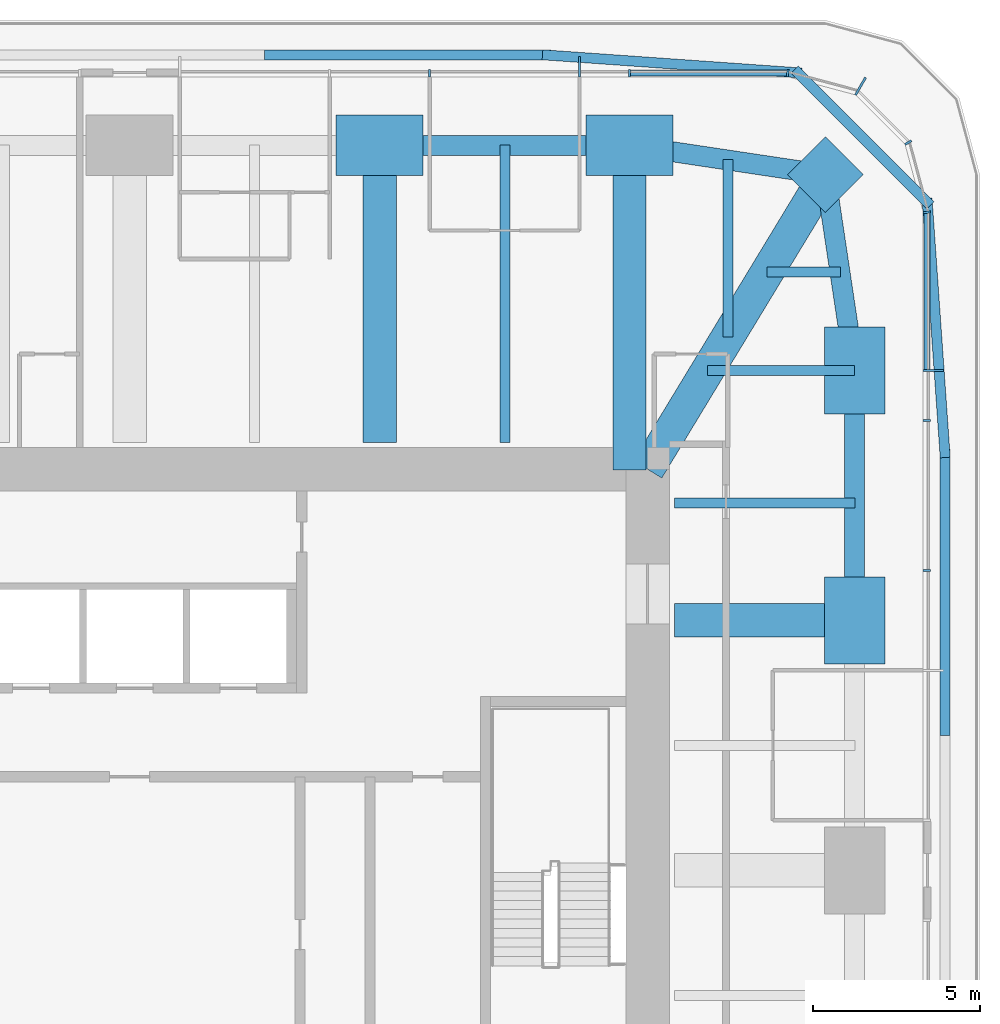
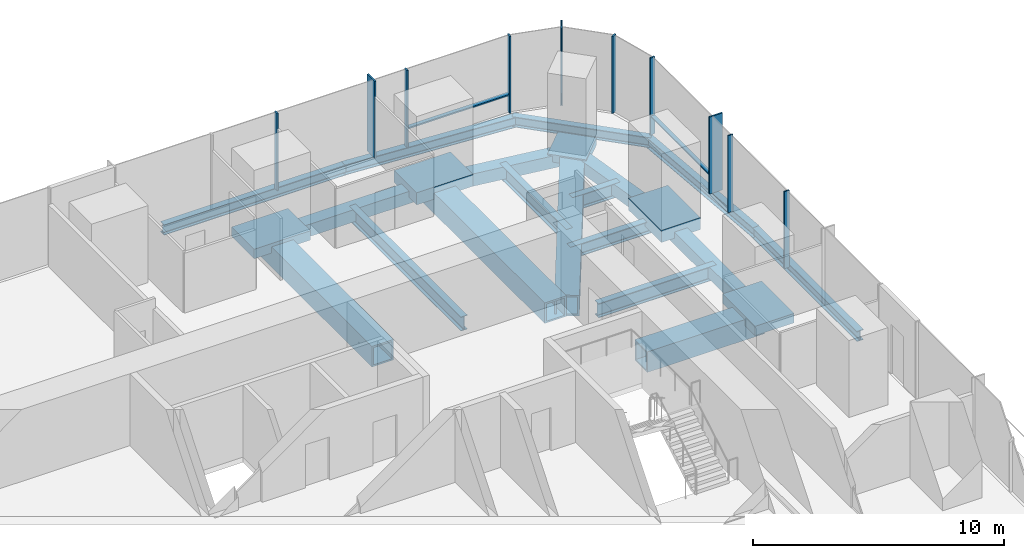
# One storey, part 6 of 15: 25 members, 10 beams, 3 elements without a shape of their own.
"""IFC4 building model written with IfcOpenShell, lengths in metres."""

from ifc_helpers import new_model, si_unit, direction, frame, origin, origin_2d, place, context, subcontext, project, spatial, rectangle, hollow_rectangle, i_section, extrude, material, material_profile, profile_set, type_object, element, aggregate, save


model = new_model("IFC4")

# Units and contexts
model_context = context("Model", 3, precision=1e-05, world=origin(), true_north=direction((0.0, 1.0)))
body_context = subcontext(model_context, "Body", "Model", "MODEL_VIEW")
ifc_project = project(units=[si_unit("LENGTHUNIT", "METRE"), si_unit("AREAUNIT", "SQUARE_METRE"), si_unit("VOLUMEUNIT", "CUBIC_METRE"), si_unit("PLANEANGLEUNIT", "RADIAN"), si_unit("MASSUNIT", "GRAM", prefix="KILO")], contexts=[model_context])

# Site, building, storey
site_placement = place(None, origin())
site = spatial("IfcSite", under=ifc_project, at=site_placement, CompositionType="ELEMENT")
building_placement = place(site_placement, origin())
building = spatial("IfcBuilding", under=site, at=building_placement, Name="Khuree Lantern Residences", CompositionType="ELEMENT")
storey_placement = place(building_placement, frame((0.0, 0.0, 285.75)))
storey = spatial("IfcBuildingStorey", under=building, at=storey_placement, Name="L71", CompositionType="ELEMENT", Elevation=285.75)

# Beams
ifc_material_1 = material(Name="Steel S355", Category="steel")
ifc_material_profile_1 = material_profile(ifc_material_1, i_section(OverallWidth=0.300048828125, OverallDepth=0.68994140625, WebThickness=0.014404296875, FlangeThickness=0.027099609375, FilletRadius=0.027099609375, at=origin_2d()), Name="HE 700 A")
ifc_profile_set_1 = profile_set([ifc_material_profile_1], Name="Steel S355")
beam_type_1 = type_object("IfcBeamType", Name="B-41 SECONDARY BEAM HE 700 A", PredefinedType="BEAM", material=ifc_profile_set_1)
beam_1_placement = place(storey_placement, frame((11.2275390625, 21.716064453125, -0.594970703125), z_axis=(0.0, -1.0, 0.0), x_axis=(1.0, 0.0, 0.0)))
element("IfcBeam", 1, at=beam_1_placement, inside=storey, type_object=beam_type_1, Name="Secondary beam N4", PredefinedType="BEAM", context=body_context, shape_type="SweptSolid", body=[
    extrude(i_section(OverallWidth=0.300048828125, OverallDepth=0.68994140625, WebThickness=0.014404296875, FlangeThickness=0.027099609375, FilletRadius=0.027099609375, at=origin_2d()), origin(), (0.0, 0.0, 1.0), 8.916015625),
])
beam_2_placement = place(storey_placement, frame((17.903076171875, 21.276123046875, -0.594970703125), z_axis=(0.0, -1.0, 0.0), x_axis=(1.0, 0.0, 0.0)))
element("IfcBeam", 2, at=beam_2_placement, inside=storey, type_object=beam_type_1, Name="Secondary beam N5", PredefinedType="BEAM", context=body_context, shape_type="SweptSolid", body=[
    extrude(i_section(OverallWidth=0.300048828125, OverallDepth=0.68994140625, WebThickness=0.014404296875, FlangeThickness=0.027099609375, FilletRadius=0.027099609375, at=origin_2d()), origin(), (0.0, 0.0, 1.0), 5.31201171875),
])
beam_3_placement = place(storey_placement, frame((21.276123046875, 17.903076171875, -0.594970703125), z_axis=(-1.0, 0.0, 0.0), x_axis=(0.0, -1.0, 0.0)))
element("IfcBeam", 3, at=beam_3_placement, inside=storey, type_object=beam_type_1, Name="Secondary beam E1", PredefinedType="BEAM", context=body_context, shape_type="SweptSolid", body=[
    extrude(i_section(OverallWidth=0.300048828125, OverallDepth=0.68994140625, WebThickness=0.014404296875, FlangeThickness=0.027099609375, FilletRadius=0.027099609375, at=origin_2d()), origin(), (0.0, 0.0, 1.0), 2.19775390625),
])
beam_4_placement = place(storey_placement, frame((21.716064453125, 11.0, -0.594970703125), z_axis=(-1.0, 0.0, 0.0), x_axis=(0.0, -1.0, 0.0)))
element("IfcBeam", 4, at=beam_4_placement, inside=storey, type_object=beam_type_1, Name="Secondary beam E2", PredefinedType="BEAM", context=body_context, shape_type="SweptSolid", body=[
    extrude(i_section(OverallWidth=0.300048828125, OverallDepth=0.68994140625, WebThickness=0.014404296875, FlangeThickness=0.027099609375, FilletRadius=0.027099609375, at=origin_2d()), origin(), (0.0, 0.0, 1.0), 5.416015625),
])

# Members
ifc_material_profile_2 = material_profile(ifc_material_1, hollow_rectangle(XDim=0.60009765625, YDim=0.60009765625, WallThickness=0.050048828125, at=origin_2d()), Name="WELDED BOX 600X600X50")
ifc_profile_set_2 = profile_set([ifc_material_profile_2], Name="Steel S355")
member_type_1 = type_object("IfcMemberType", Name="BT-71 BELT TRUSS CHORD WELDED BOX 600X600X50", PredefinedType="CHORD", material=ifc_profile_set_2)
member_1_placement = place(storey_placement, frame((7.47998046875, 21.699951171875, -0.550048828125), z_axis=(1.0, 0.0, 0.0), x_axis=(0.0, 1.0, 0.0)))
element("IfcMember", 5, at=member_1_placement, inside=storey, type_object=member_type_1, Name="Belt truss chord N4", PredefinedType="CHORD", context=body_context, shape_type="SweptSolid", body=[
    extrude(hollow_rectangle(XDim=0.60009765625, YDim=0.60009765625, WallThickness=0.050048828125, at=origin_2d()), origin(), (0.0, 0.0, 1.0), 7.47998046875),
])
for number, where, z_axis, x_axis, name in (
    (6, (14.9599609375, 21.699951171875, -0.550048828125), (0.988949643299, -0.148251822985, 0.0), (0.148251822985, 0.988949643299, 0.0), "Belt truss chord N5"),
    (7, (20.8212890625, 20.8212890625, -0.550048828125), (0.148251822985, -0.988949643299, 0.0), (0.988949643299, 0.148251822985, 0.0), "Belt truss chord E1"),
):
    element("IfcMember", number, at=place(storey_placement, frame(where, z_axis=z_axis, x_axis=x_axis)), inside=storey, type_object=member_type_1, Name=name, PredefinedType="CHORD", context=body_context, shape_type="SweptSolid", body=[
        extrude(hollow_rectangle(XDim=0.60009765625, YDim=0.60009765625, WallThickness=0.050048828125, at=origin_2d()), origin(), (0.0, 0.0, 1.0), 5.9267578125),
    ])
member_2_placement = place(storey_placement, frame((21.699951171875, 14.9599609375, -0.550048828125), z_axis=(0.0, -1.0, 0.0), x_axis=(1.0, 0.0, 0.0)))
element("IfcMember", 8, at=member_2_placement, inside=storey, type_object=member_type_1, Name="Belt truss chord E2", PredefinedType="CHORD", context=body_context, shape_type="SweptSolid", body=[
    extrude(hollow_rectangle(XDim=0.60009765625, YDim=0.60009765625, WallThickness=0.050048828125, at=origin_2d()), origin(), (0.0, 0.0, 1.0), 7.47998046875),
])

# Curtain wall, member
ifc_material_2 = material(Name="Bronze anodised aluminium", Category="aluminium")
curtain_wall_type_1 = type_object("IfcCurtainWallType", Name="CW-T1 TOWER FACE CURTAIN WALL", PredefinedType="USERDEFINED", material=ifc_material_2)
curtain_wall_1_placement = place(storey_placement, origin())
curtain_wall_1 = element("IfcCurtainWall", 9, at=curtain_wall_1_placement, inside=storey, type_object=curtain_wall_type_1, Name="L71 EAST FACE CURTAIN WALL", ObjectType="Stick-built curtain wall", PredefinedType="USERDEFINED")
ifc_material_profile_3 = material_profile(ifc_material_2, rectangle(XDim=0.06494140625, YDim=0.60009765625, at=origin_2d()), Name="F1 65X600")
ifc_profile_set_3 = profile_set([ifc_material_profile_3], Name="Bronze anodised aluminium")
member_type_2 = type_object("IfcMemberType", Name="F1 BRONZE FIN MULLION TOWER 65X600", PredefinedType="MULLION", material=ifc_profile_set_3)
member_3_placement = place(storey_placement, frame((24.050048828125, 14.9599609375, 0.0), z_axis=(0.0, 0.0, 1.0), x_axis=(0.0, 1.0, 0.0)))
member_3 = element("IfcMember", 10, at=member_3_placement, type_object=member_type_2, Name="L71 EAST FACE FIN MULLION 14", PredefinedType="MULLION", context=body_context, shape_type="SweptSolid", body=[
    extrude(rectangle(XDim=0.06494140625, YDim=0.60009765625, at=origin_2d()), origin(), (0.0, 0.0, 1.0), 3.75),
])

curtain_wall_type_2 = type_object("IfcCurtainWallType", Name="CW-T2 TOWER CORNER CURTAIN WALL", PredefinedType="USERDEFINED", material=ifc_material_2)
curtain_wall_2_placement = place(storey_placement, origin())
curtain_wall_2 = element("IfcCurtainWall", 11, at=curtain_wall_2_placement, inside=storey, type_object=curtain_wall_type_2, Name="L71 NORTH-EAST CORNER CURTAIN WALL", ObjectType="Faceted corner curtain wall", PredefinedType="USERDEFINED")
member_4_placement = place(storey_placement, frame((21.875, 23.46728515625, 0.0), z_axis=(0.0, 0.0, 1.0), x_axis=(-0.866025437565, 0.49999994149, 0.0)))
member_4 = element("IfcMember", 12, at=member_4_placement, type_object=member_type_2, Name="L71 NORTH-EAST CORNER FIN MULLION 17", PredefinedType="MULLION", context=body_context, shape_type="SweptSolid", body=[
    extrude(rectangle(XDim=0.06494140625, YDim=0.60009765625, at=origin_2d()), origin(), (0.0, 0.0, 1.0), 3.75),
])

curtain_wall_3_placement = place(storey_placement, origin())
curtain_wall_3 = element("IfcCurtainWall", 13, at=curtain_wall_3_placement, inside=storey, type_object=curtain_wall_type_1, Name="L71 NORTH FACE CURTAIN WALL", ObjectType="Stick-built curtain wall", PredefinedType="USERDEFINED")
member_5_placement = place(storey_placement, frame((13.464111328125, 24.050048828125, 0.0), z_axis=(0.0, 0.0, 1.0), x_axis=(-1.0, 0.0, 0.0)))
member_5 = element("IfcMember", 14, at=member_5_placement, type_object=member_type_2, Name="L71 NORTH FACE FIN MULLION 20", PredefinedType="MULLION", context=body_context, shape_type="SweptSolid", body=[
    extrude(rectangle(XDim=0.06494140625, YDim=0.60009765625, at=origin_2d()), origin(), (0.0, 0.0, 1.0), 3.75),
])

# Beam
ifc_material_profile_4 = material_profile(ifc_material_1, i_section(OverallWidth=0.300048828125, OverallDepth=0.60009765625, WebThickness=0.015380859375, FlangeThickness=0.030029296875, FilletRadius=0.027099609375, at=origin_2d()), Name="HE 600 B")
ifc_profile_set_4 = profile_set([ifc_material_profile_4], Name="Steel S355")
beam_type_2 = type_object("IfcBeamType", Name="G-41 GIRDER HE 600 B", PredefinedType="BEAM", material=ifc_profile_set_4)
beam_5_placement = place(storey_placement, frame((21.699951171875, 14.9599609375, -0.550048828125), z_axis=(-1.0, 0.0, 0.0), x_axis=(0.0, -1.0, 0.0)))
element("IfcBeam", 15, at=beam_5_placement, inside=storey, type_object=beam_type_2, Name="Girder E1", PredefinedType="BEAM", context=body_context, shape_type="SweptSolid", body=[
    extrude(i_section(OverallWidth=0.300048828125, OverallDepth=0.60009765625, WebThickness=0.015380859375, FlangeThickness=0.030029296875, FilletRadius=0.027099609375, at=origin_2d()), origin(), (0.0, 0.0, 1.0), 4.405517578125),
])

# Member
ifc_material_profile_5 = material_profile(ifc_material_2, rectangle(XDim=0.06494140625, YDim=0.219970703125, at=origin_2d()), Name="M1 65X220")
ifc_profile_set_5 = profile_set([ifc_material_profile_5], Name="Bronze anodised aluminium")
member_type_3 = type_object("IfcMemberType", Name="M1 BRONZE MULLION TOWER 65X220", PredefinedType="MULLION", material=ifc_profile_set_5)
member_6_placement = place(storey_placement, frame((23.860107421875, 8.97607421875, 0.0), z_axis=(0.0, 0.0, 1.0), x_axis=(0.0, 1.0, 0.0)))
member_6 = element("IfcMember", 16, at=member_6_placement, type_object=member_type_3, Name="L71 EAST FACE MULLION 12", PredefinedType="MULLION", context=body_context, shape_type="SweptSolid", body=[
    extrude(rectangle(XDim=0.06494140625, YDim=0.219970703125, at=origin_2d()), origin(), (0.0, 0.0, 1.0), 3.75),
])

member_7_placement = place(storey_placement, frame((23.860107421875, 13.464111328125, 0.0), z_axis=(0.0, 0.0, 1.0), x_axis=(0.0, 1.0, 0.0)))
member_7 = element("IfcMember", 17, at=member_7_placement, type_object=member_type_3, Name="L71 EAST FACE MULLION 13", PredefinedType="MULLION", context=body_context, shape_type="SweptSolid", body=[
    extrude(rectangle(XDim=0.06494140625, YDim=0.219970703125, at=origin_2d()), origin(), (0.0, 0.0, 1.0), 3.75),
])

member_8_placement = place(storey_placement, frame((23.86181640625, 19.695068359375, 0.0), z_axis=(0.0, 0.0, 1.0), x_axis=(-0.130526125236, 0.991444870192, 0.0)))
member_8 = element("IfcMember", 18, at=member_8_placement, type_object=member_type_3, Name="L71 NORTH-EAST CORNER MULLION 15", PredefinedType="MULLION", context=body_context, shape_type="SweptSolid", body=[
    extrude(rectangle(XDim=0.06494140625, YDim=0.219970703125, at=origin_2d()), origin(), (0.0, 0.0, 1.0), 3.75),
])

member_9_placement = place(storey_placement, frame((23.302734375, 21.780029296875, 0.0), z_axis=(0.0, 0.0, 1.0), x_axis=(-0.49999994149, 0.866025437565, 0.0)))
member_9 = element("IfcMember", 19, at=member_9_placement, type_object=member_type_3, Name="L71 NORTH-EAST CORNER MULLION 16", PredefinedType="MULLION", context=body_context, shape_type="SweptSolid", body=[
    extrude(rectangle(XDim=0.06494140625, YDim=0.219970703125, at=origin_2d()), origin(), (0.0, 0.0, 1.0), 3.75),
])

aggregate(curtain_wall_2, [member_8, member_9, member_4])

member_10_placement = place(storey_placement, frame((19.695068359375, 23.86181640625, 0.0), z_axis=(0.0, 0.0, 1.0), x_axis=(-0.991444870192, 0.130526125236, 0.0)))
member_10 = element("IfcMember", 20, at=member_10_placement, type_object=member_type_3, Name="L71 NORTH FACE MULLION 18", PredefinedType="MULLION", context=body_context, shape_type="SweptSolid", body=[
    extrude(rectangle(XDim=0.06494140625, YDim=0.219970703125, at=origin_2d()), origin(), (0.0, 0.0, 1.0), 3.75),
])

member_11_placement = place(storey_placement, frame((14.9599609375, 23.860107421875, 0.0), z_axis=(0.0, 0.0, 1.0), x_axis=(-1.0, 0.0, 0.0)))
member_11 = element("IfcMember", 21, at=member_11_placement, type_object=member_type_3, Name="L71 NORTH FACE MULLION 19", PredefinedType="MULLION", context=body_context, shape_type="SweptSolid", body=[
    extrude(rectangle(XDim=0.06494140625, YDim=0.219970703125, at=origin_2d()), origin(), (0.0, 0.0, 1.0), 3.75),
])

member_12_placement = place(storey_placement, frame((8.97607421875, 23.860107421875, 0.0), z_axis=(0.0, 0.0, 1.0), x_axis=(-1.0, 0.0, 0.0)))
member_12 = element("IfcMember", 22, at=member_12_placement, type_object=member_type_3, Name="L71 NORTH FACE MULLION 21", PredefinedType="MULLION", context=body_context, shape_type="SweptSolid", body=[
    extrude(rectangle(XDim=0.06494140625, YDim=0.219970703125, at=origin_2d()), origin(), (0.0, 0.0, 1.0), 3.75),
])

# Members
ifc_material_3 = material(Name="Concrete C70/85", Category="concrete")
ifc_material_profile_6 = material_profile(ifc_material_3, rectangle(XDim=2.60009765625, YDim=1.800048828125, at=origin_2d()), Name="RC 2600X1800")
ifc_profile_set_6 = profile_set([ifc_material_profile_6], Name="Concrete C70/85")
member_type_4 = type_object("IfcMemberType", Name="MNC MEGA COLUMN NODE RC 2600X1800", PredefinedType="MEMBER", material=ifc_profile_set_6)
member_13_placement = place(storey_placement, frame((7.47998046875, 21.699951171875, -0.550048828125), z_axis=(0.0, 0.0, 1.0), x_axis=(1.0, 0.0, 0.0)))
element("IfcMember", 23, at=member_13_placement, inside=storey, type_object=member_type_4, Name="Mega column node N4", PredefinedType="MEMBER", context=body_context, shape_type="SweptSolid", body=[
    extrude(rectangle(XDim=2.60009765625, YDim=1.800048828125, at=origin_2d()), origin(), (0.0, 0.0, 1.0), 0.4599609375),
])
for number, where, z_axis, x_axis, name in (
    (24, (14.9599609375, 21.699951171875, -0.550048828125), (0.0, 0.0, 1.0), (1.0, 0.0, 0.0), "Mega column node N5"),
    (25, (21.699951171875, 14.9599609375, -0.550048828125), (0.0, 0.0, 1.0), (0.0, 1.0, 0.0), "Mega column node E1"),
):
    element("IfcMember", number, at=place(storey_placement, frame(where, z_axis=z_axis, x_axis=x_axis)), inside=storey, type_object=member_type_4, Name=name, PredefinedType="MEMBER", context=body_context, shape_type="SweptSolid", body=[
        extrude(rectangle(XDim=2.60009765625, YDim=1.800048828125, at=origin_2d()), origin(), (0.0, 0.0, 1.0), 0.590087890625),
    ])
member_14_placement = place(storey_placement, frame((21.699951171875, 7.47998046875, -0.550048828125), z_axis=(0.0, 0.0, 1.0), x_axis=(0.0, 1.0, 0.0)))
element("IfcMember", 26, at=member_14_placement, inside=storey, type_object=member_type_4, Name="Mega column node E2", PredefinedType="MEMBER", context=body_context, shape_type="SweptSolid", body=[
    extrude(rectangle(XDim=2.60009765625, YDim=1.800048828125, at=origin_2d()), origin(), (0.0, 0.0, 1.0), 0.4599609375),
])
ifc_material_profile_7 = material_profile(ifc_material_3, rectangle(XDim=1.60009765625, YDim=1.60009765625, at=origin_2d()), Name="RC 1600X1600")
ifc_profile_set_7 = profile_set([ifc_material_profile_7], Name="Concrete C70/85")
member_type_5 = type_object("IfcMemberType", Name="MND MEGA COLUMN NODE RC 1600X1600", PredefinedType="MEMBER", material=ifc_profile_set_7)
member_15_placement = place(storey_placement, frame((20.8212890625, 20.8212890625, -0.550048828125), z_axis=(0.0, 0.0, 1.0), x_axis=(0.707106781187, -0.707106781187, 0.0)))
element("IfcMember", 27, at=member_15_placement, inside=storey, type_object=member_type_5, Name="Mega column node NE", PredefinedType="MEMBER", context=body_context, shape_type="SweptSolid", body=[
    extrude(rectangle(XDim=1.60009765625, YDim=1.60009765625, at=origin_2d()), origin(), (0.0, 0.0, 1.0), 0.360107421875),
])
ifc_material_profile_8 = material_profile(ifc_material_1, hollow_rectangle(XDim=1.0, YDim=1.0, WallThickness=0.080078125, at=origin_2d()), Name="WELDED BOX 1000X1000X80")
ifc_profile_set_8 = profile_set([ifc_material_profile_8], Name="Steel S355")
member_type_6 = type_object("IfcMemberType", Name="OT-71 OUTRIGGER TRUSS CHORD WELDED BOX 1000X1000X80", PredefinedType="CHORD", material=ifc_profile_set_8)
member_16_placement = place(storey_placement, frame((7.47998046875, 21.699951171875, -0.75), z_axis=(0.0, -1.0, 0.0), x_axis=(1.0, 0.0, 0.0)))
element("IfcMember", 28, at=member_16_placement, inside=storey, type_object=member_type_6, Name="Outrigger chord N4", PredefinedType="CHORD", context=body_context, shape_type="SweptSolid", body=[
    extrude(hollow_rectangle(XDim=1.0, YDim=1.0, WallThickness=0.080078125, at=origin_2d()), origin(), (0.0, 0.0, 1.0), 8.89990234375),
])
member_17_placement = place(storey_placement, frame((14.9599609375, 21.699951171875, -0.75), z_axis=(0.0, -1.0, 0.0), x_axis=(1.0, 0.0, 0.0)))
element("IfcMember", 29, at=member_17_placement, inside=storey, type_object=member_type_6, Name="Outrigger chord N5", PredefinedType="CHORD", context=body_context, shape_type="SweptSolid", body=[
    extrude(hollow_rectangle(XDim=1.0, YDim=1.0, WallThickness=0.080078125, at=origin_2d()), origin(), (0.0, 0.0, 1.0), 9.72265625),
])
member_18_placement = place(storey_placement, frame((21.699951171875, 7.47998046875, -0.75), z_axis=(-1.0, 0.0, 0.0), x_axis=(0.0, -1.0, 0.0)))
element("IfcMember", 30, at=member_18_placement, inside=storey, type_object=member_type_6, Name="Outrigger chord E2", PredefinedType="CHORD", context=body_context, shape_type="SweptSolid", body=[
    extrude(hollow_rectangle(XDim=1.0, YDim=1.0, WallThickness=0.080078125, at=origin_2d()), origin(), (0.0, 0.0, 1.0), 5.39990234375),
])
member_19_placement = place(storey_placement, frame((20.8876953125, 20.8876953125, -0.75), z_axis=(-0.518387093146, -0.855146082059, 0.0), x_axis=(0.855146082059, -0.518387093146, 0.0)))
element("IfcMember", 31, at=member_19_placement, inside=storey, type_object=member_type_6, Name="Outrigger chord NE", PredefinedType="CHORD", context=body_context, shape_type="SweptSolid", body=[
    extrude(hollow_rectangle(XDim=1.0, YDim=1.0, WallThickness=0.080078125, at=origin_2d()), origin(), (0.0, 0.0, 1.0), 10.393310546875),
])

# Beams
ifc_material_profile_9 = material_profile(ifc_material_1, i_section(OverallWidth=0.300048828125, OverallDepth=0.5, WebThickness=0.014404296875, FlangeThickness=0.028076171875, FilletRadius=0.027099609375, at=origin_2d()), Name="HE 500 B")
ifc_profile_set_9 = profile_set([ifc_material_profile_9], Name="Steel S355")
beam_type_3 = type_object("IfcBeamType", Name="TB1 TERRACE EDGE BEAM HE 500 B", PredefinedType="BEAM", material=ifc_profile_set_9)
beam_6_placement = place(storey_placement, frame((4.034912109375, 24.39990234375, -0.5), z_axis=(1.0, 0.0, 0.0), x_axis=(0.0, 1.0, 0.0)))
element("IfcBeam", 32, at=beam_6_placement, inside=storey, type_object=beam_type_3, Name="Terrace edge beam N3", PredefinedType="BEAM", context=body_context, shape_type="SweptSolid", body=[
    extrude(i_section(OverallWidth=0.300048828125, OverallDepth=0.5, WebThickness=0.014404296875, FlangeThickness=0.028076171875, FilletRadius=0.027099609375, at=origin_2d()), origin(), (0.0, 0.0, 1.0), 8.570068359375),
])
beam_7_placement = place(storey_placement, frame((12.355224609375, 24.40869140625, -0.5), z_axis=(0.997547107034, -0.069998351758, 0.0), x_axis=(0.069998351758, 0.997547107034, 0.0)))
element("IfcBeam", 33, at=beam_7_placement, inside=storey, type_object=beam_type_3, Name="Terrace edge beam N4", PredefinedType="BEAM", context=body_context, shape_type="SweptSolid", body=[
    extrude(i_section(OverallWidth=0.300048828125, OverallDepth=0.5, WebThickness=0.014404296875, FlangeThickness=0.028076171875, FilletRadius=0.027099609375, at=origin_2d()), origin(), (0.0, 0.0, 1.0), 7.78125),
])
beam_8_placement = place(storey_placement, frame((19.904296875, 23.961181640625, -0.5), z_axis=(0.707106781187, -0.707106781187, 0.0), x_axis=(0.707106781187, 0.707106781187, 0.0)))
element("IfcBeam", 34, at=beam_8_placement, inside=storey, type_object=beam_type_3, Name="Terrace edge beam N5", PredefinedType="BEAM", context=body_context, shape_type="SweptSolid", body=[
    extrude(i_section(OverallWidth=0.300048828125, OverallDepth=0.5, WebThickness=0.014404296875, FlangeThickness=0.028076171875, FilletRadius=0.027099609375, at=origin_2d()), origin(), (0.0, 0.0, 1.0), 5.7373046875),
])
beam_9_placement = place(storey_placement, frame((23.864013671875, 20.117431640625, -0.5), z_axis=(0.069998351758, -0.997547107034, 0.0), x_axis=(0.997547107034, 0.069998351758, 0.0)))
element("IfcBeam", 35, at=beam_9_placement, inside=storey, type_object=beam_type_3, Name="Terrace edge beam E1", PredefinedType="BEAM", context=body_context, shape_type="SweptSolid", body=[
    extrude(i_section(OverallWidth=0.300048828125, OverallDepth=0.5, WebThickness=0.014404296875, FlangeThickness=0.028076171875, FilletRadius=0.027099609375, at=origin_2d()), origin(), (0.0, 0.0, 1.0), 7.78125),
])
beam_10_placement = place(storey_placement, frame((24.39990234375, 12.60498046875, -0.5), z_axis=(0.0, -1.0, 0.0), x_axis=(1.0, 0.0, 0.0)))
element("IfcBeam", 36, at=beam_10_placement, inside=storey, type_object=beam_type_3, Name="Terrace edge beam E2", PredefinedType="BEAM", context=body_context, shape_type="SweptSolid", body=[
    extrude(i_section(OverallWidth=0.300048828125, OverallDepth=0.5, WebThickness=0.014404296875, FlangeThickness=0.028076171875, FilletRadius=0.027099609375, at=origin_2d()), origin(), (0.0, 0.0, 1.0), 8.570068359375),
])

# Member
ifc_material_profile_10 = material_profile(ifc_material_2, rectangle(XDim=0.179931640625, YDim=0.06494140625, at=origin_2d()), Name="T1 180X65")
ifc_profile_set_10 = profile_set([ifc_material_profile_10], Name="Bronze anodised aluminium")
member_type_7 = type_object("IfcMemberType", Name="TRANSOM T1 TOWER 180X65", PredefinedType="USERDEFINED", material=ifc_profile_set_10)
member_20_placement = place(storey_placement, frame((23.8701171875, 14.992431640625, 0.89990234375), z_axis=(0.0, 1.0, 0.0), x_axis=(-1.0, 0.0, 0.0)))
member_20 = element("IfcMember", 37, at=member_20_placement, type_object=member_type_7, Name="L71 EAST FACE TRANSOM 14.1", ObjectType="Transom", PredefinedType="USERDEFINED", context=body_context, shape_type="SweptSolid", body=[
    extrude(rectangle(XDim=0.179931640625, YDim=0.06494140625, at=origin_2d()), origin(), (0.0, 0.0, 1.0), 4.658935546875),
])

aggregate(curtain_wall_1, [member_6, member_7, member_3, member_20])

member_21_placement = place(storey_placement, frame((19.6513671875, 23.8701171875, 0.89990234375), z_axis=(-1.0, 0.0, 0.0), x_axis=(0.0, -1.0, 0.0)))
member_21 = element("IfcMember", 38, at=member_21_placement, type_object=member_type_7, Name="L71 NORTH FACE TRANSOM 18.1", ObjectType="Transom", PredefinedType="USERDEFINED", context=body_context, shape_type="SweptSolid", body=[
    extrude(rectangle(XDim=0.179931640625, YDim=0.06494140625, at=origin_2d()), origin(), (0.0, 0.0, 1.0), 4.658935546875),
])

aggregate(curtain_wall_3, [member_10, member_11, member_5, member_12, member_21])

save(model, "model.ifc")
